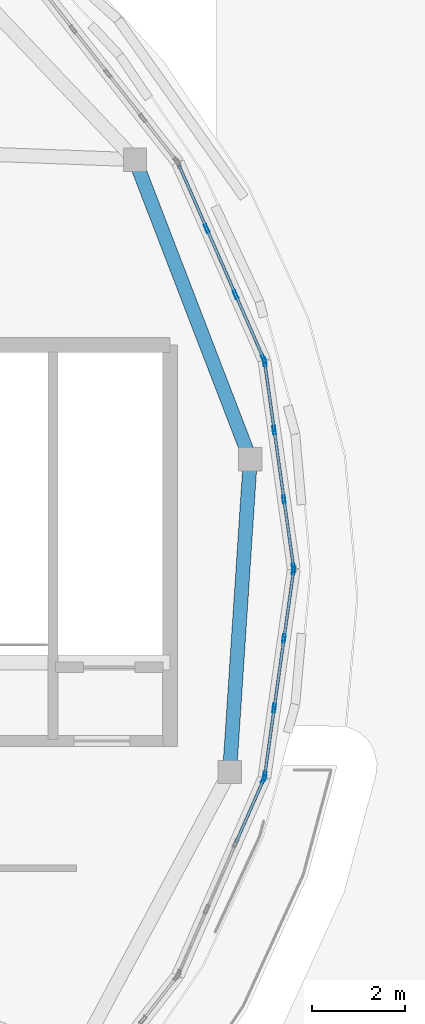
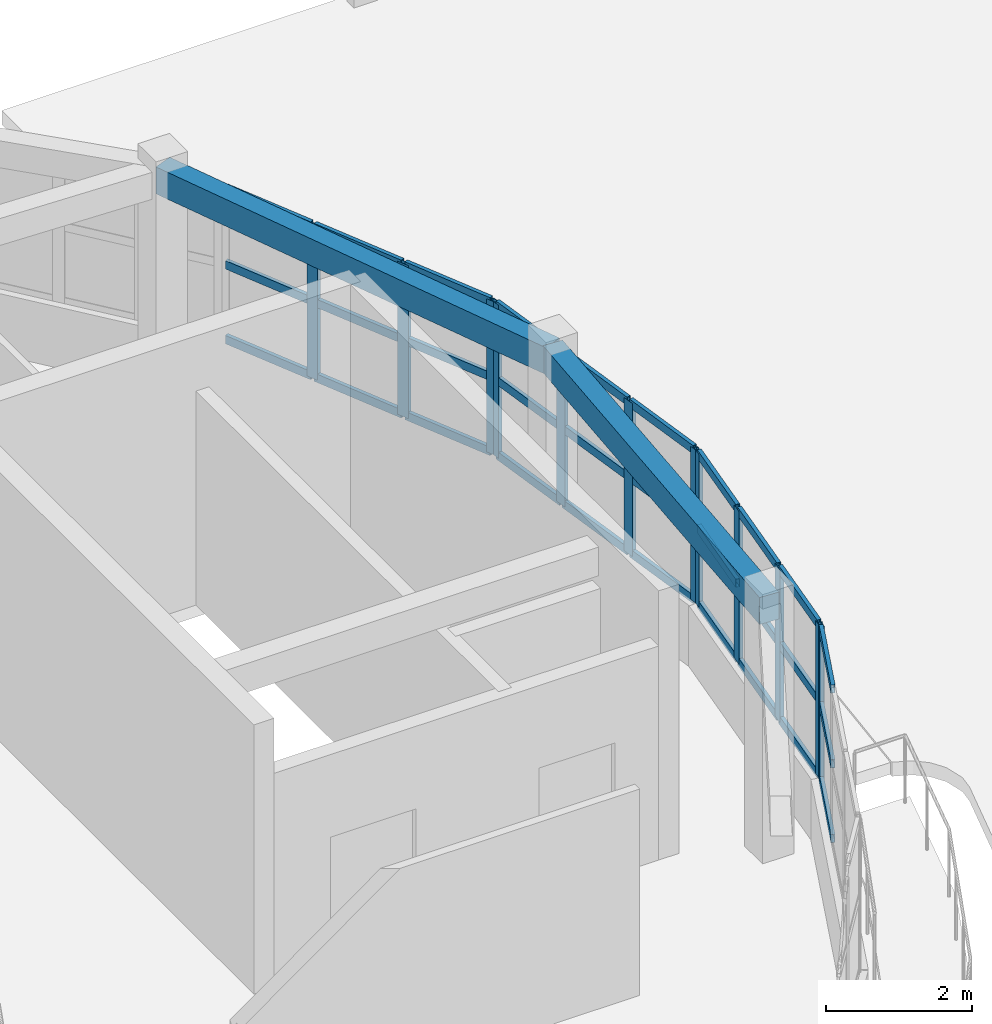
# One storey, part 20 of 38: 42 members, 2 beams, 4 elements without a shape of their own.
"""IFC4 building model written with IfcOpenShell, lengths in metres."""

from ifc_helpers import new_model, si_unit, direction, frame, origin, origin_2d, place, context, subcontext, project, spatial, rectangle, hollow_rectangle, extrude, material, layer, layer_set, material_profile, profile_set, type_object, element, aggregate, save


model = new_model("IFC4")

# Units and contexts
model_context = context("Model", 3, precision=1e-05, world=origin(), true_north=direction((0.0, 1.0)))
body_context = subcontext(model_context, "Body", "Model", "MODEL_VIEW")
ifc_project = project(units=[si_unit("LENGTHUNIT", "METRE"), si_unit("AREAUNIT", "SQUARE_METRE"), si_unit("VOLUMEUNIT", "CUBIC_METRE"), si_unit("PLANEANGLEUNIT", "RADIAN"), si_unit("MASSUNIT", "GRAM", prefix="KILO")], contexts=[model_context])

# Site, building, storey
site_placement = place(None, origin())
site = spatial("IfcSite", under=ifc_project, at=site_placement, CompositionType="ELEMENT")
building_placement = place(site_placement, origin())
building = spatial("IfcBuilding", under=site, at=building_placement, Name="Pelvatis Terrace Science Centre", CompositionType="ELEMENT")
storey_placement = place(building_placement, frame((0.0, 0.0, 24.300048828125)))
storey = spatial("IfcBuildingStorey", under=building, at=storey_placement, Name="L05", CompositionType="ELEMENT", Elevation=24.300048828125)

# Beams
ifc_material_1 = material(Name="Concrete C35/45", Category="concrete")
ifc_material_profile_1 = material_profile(ifc_material_1, rectangle(XDim=0.300048828125, YDim=0.449951171875, at=origin_2d()), Name="RC-BM 300x450")
ifc_profile_set_1 = profile_set([ifc_material_profile_1], Name="Concrete C35/45")
beam_type = type_object("IfcBeamType", Name="BM-RC-300x450", PredefinedType="BEAM", material=ifc_profile_set_1)
beam_1_placement = place(storey_placement, frame((133.31884765625, 87.552001953125, 4.034912109375), z_axis=(-0.359224405227, 0.933251213066, 0.0), x_axis=(-0.933251213066, -0.359224405227, 0.0)))
element("IfcBeam", 1, at=beam_1_placement, inside=storey, type_object=beam_type, Name="Beam BM-L05-3116", PredefinedType="BEAM", context=body_context, shape_type="SweptSolid", body=[
    extrude(rectangle(XDim=0.300048828125, YDim=0.449951171875, at=origin_2d()), origin(), (0.0, 0.0, 1.0), 6.868408203125),
])
beam_2_placement = place(storey_placement, frame((133.31884765625, 87.552001953125, 4.034912109375), z_axis=(-0.065837804337, -0.997830338044, 0.0), x_axis=(0.997830338044, -0.065837804337, 0.0)))
element("IfcBeam", 2, at=beam_2_placement, inside=storey, type_object=beam_type, Name="Beam BM-L05-3117", PredefinedType="BEAM", context=body_context, shape_type="SweptSolid", body=[
    extrude(rectangle(XDim=0.300048828125, YDim=0.449951171875, at=origin_2d()), origin(), (0.0, 0.0, 1.0), 6.708251953125),
])

# Curtain wall, members
ifc_material_2 = material(Name="Bronze-anodised aluminium and laminated glass", Category="aluminium")
ifc_layer = layer(ifc_material_2, 0.179931640625)
ifc_layer_set = layer_set([ifc_layer], Name="Bronze-anodised aluminium and laminated glass")
curtain_wall_type = type_object("IfcCurtainWallType", Name="CW-RIBBON-A", PredefinedType="NOTDEFINED", material=ifc_layer_set)
curtain_wall_1_placement = place(storey_placement, origin())
curtain_wall_1 = element("IfcCurtainWall", 3, at=curtain_wall_1_placement, inside=storey, type_object=curtain_wall_type, Name="Ribbon curtain wall CW-237 (L05)", PredefinedType="NOTDEFINED")
ifc_material_3 = material(Name="Bronze-anodised aluminium 6063-T6", Category="aluminium")
ifc_material_profile_2 = material_profile(ifc_material_3, hollow_rectangle(XDim=0.06005859375, YDim=0.179931640625, WallThickness=0.00390625, at=origin_2d()), Name="ALU-MUL 60x180")
ifc_profile_set_2 = profile_set([ifc_material_profile_2], Name="Bronze-anodised aluminium 6063-T6")
member_type_1 = type_object("IfcMemberType", Name="CWM-60x180", PredefinedType="MULLION", material=ifc_profile_set_2)
member_1_placement = place(storey_placement, frame((134.245849609375, 85.229736328125, 1.02001953125), z_axis=(0.0, 0.0, 1.0), x_axis=(-0.990235094606, -0.139407522788, 0.0)))
member_1 = element("IfcMember", 4, at=member_1_placement, type_object=member_type_1, Name="CW-237 mullion 1", PredefinedType="MULLION", context=body_context, shape_type="SweptSolid", body=[
    extrude(hollow_rectangle(XDim=0.06005859375, YDim=0.179931640625, WallThickness=0.00390625, at=origin_2d()), origin(), (0.0, 0.0, 1.0), 2.559814453125),
])
member_2_placement = place(storey_placement, frame((134.04052734375, 86.687255859375, 1.02001953125), z_axis=(0.0, 0.0, 1.0), x_axis=(-0.990235094606, -0.139407522788, 0.0)))
member_2 = element("IfcMember", 5, at=member_2_placement, type_object=member_type_1, Name="CW-237 mullion 2", PredefinedType="MULLION", context=body_context, shape_type="SweptSolid", body=[
    extrude(hollow_rectangle(XDim=0.06005859375, YDim=0.179931640625, WallThickness=0.00390625, at=origin_2d()), origin(), (0.0, 0.0, 1.0), 2.559814453125),
])
member_3_placement = place(storey_placement, frame((133.831298828125, 88.17431640625, 1.02001953125), z_axis=(0.0, 0.0, 1.0), x_axis=(-0.990235094606, -0.139407522788, 0.0)))
member_3 = element("IfcMember", 6, at=member_3_placement, type_object=member_type_1, Name="CW-237 mullion 3", PredefinedType="MULLION", context=body_context, shape_type="SweptSolid", body=[
    extrude(hollow_rectangle(XDim=0.06005859375, YDim=0.179931640625, WallThickness=0.00390625, at=origin_2d()), origin(), (0.0, 0.0, 1.0), 2.559814453125),
])
member_4_placement = place(storey_placement, frame((133.6259765625, 89.6318359375, 1.02001953125), z_axis=(0.0, 0.0, 1.0), x_axis=(-0.990235094606, -0.139407522788, 0.0)))
member_4 = element("IfcMember", 7, at=member_4_placement, type_object=member_type_1, Name="CW-237 mullion 4", PredefinedType="MULLION", context=body_context, shape_type="SweptSolid", body=[
    extrude(hollow_rectangle(XDim=0.06005859375, YDim=0.179931640625, WallThickness=0.00390625, at=origin_2d()), origin(), (0.0, 0.0, 1.0), 2.559814453125),
])

curtain_wall_2_placement = place(storey_placement, origin())
curtain_wall_2 = element("IfcCurtainWall", 8, at=curtain_wall_2_placement, inside=storey, type_object=curtain_wall_type, Name="Ribbon curtain wall CW-238 (L05)", PredefinedType="NOTDEFINED")
member_5_placement = place(storey_placement, frame((133.60986328125, 89.68896484375, 1.02001953125), z_axis=(0.0, 0.0, 1.0), x_axis=(-0.916274899341, -0.400550007911, 0.0)))
member_5 = element("IfcMember", 9, at=member_5_placement, type_object=member_type_1, Name="CW-238 mullion 1", PredefinedType="MULLION", context=body_context, shape_type="SweptSolid", body=[
    extrude(hollow_rectangle(XDim=0.06005859375, YDim=0.179931640625, WallThickness=0.00390625, at=origin_2d()), origin(), (0.0, 0.0, 1.0), 2.559814453125),
])
member_6_placement = place(storey_placement, frame((133.00439453125, 91.07421875, 1.02001953125), z_axis=(0.0, 0.0, 1.0), x_axis=(-0.916274899341, -0.400550007911, 0.0)))
member_6 = element("IfcMember", 10, at=member_6_placement, type_object=member_type_1, Name="CW-238 mullion 2", PredefinedType="MULLION", context=body_context, shape_type="SweptSolid", body=[
    extrude(hollow_rectangle(XDim=0.06005859375, YDim=0.179931640625, WallThickness=0.00390625, at=origin_2d()), origin(), (0.0, 0.0, 1.0), 2.559814453125),
])
member_7_placement = place(storey_placement, frame((132.38671875, 92.48681640625, 1.02001953125), z_axis=(0.0, 0.0, 1.0), x_axis=(-0.916274899341, -0.400550007911, 0.0)))
member_7 = element("IfcMember", 11, at=member_7_placement, type_object=member_type_1, Name="CW-238 mullion 3", PredefinedType="MULLION", context=body_context, shape_type="SweptSolid", body=[
    extrude(hollow_rectangle(XDim=0.06005859375, YDim=0.179931640625, WallThickness=0.00390625, at=origin_2d()), origin(), (0.0, 0.0, 1.0), 2.559814453125),
])

# Curtain wall, member
curtain_wall_3_placement = place(storey_placement, origin())
curtain_wall_3 = element("IfcCurtainWall", 12, at=curtain_wall_3_placement, inside=storey, type_object=curtain_wall_type, Name="Ribbon curtain wall CW-262 (L05)", PredefinedType="NOTDEFINED")
member_8_placement = place(storey_placement, frame((133.60986328125, 80.7109375, 1.02001953125), z_axis=(0.0, 0.0, 1.0), x_axis=(-0.916274899341, 0.400550007911, 0.0)))
member_8 = element("IfcMember", 13, at=member_8_placement, type_object=member_type_1, Name="CW-262 mullion 4", PredefinedType="MULLION", context=body_context, shape_type="SweptSolid", body=[
    extrude(hollow_rectangle(XDim=0.06005859375, YDim=0.179931640625, WallThickness=0.00390625, at=origin_2d()), origin(), (0.0, 0.0, 1.0), 2.559814453125),
])

# Curtain wall, members
curtain_wall_4_placement = place(storey_placement, origin())
curtain_wall_4 = element("IfcCurtainWall", 14, at=curtain_wall_4_placement, inside=storey, type_object=curtain_wall_type, Name="Ribbon curtain wall CW-263 (L05)", PredefinedType="NOTDEFINED")
member_9_placement = place(storey_placement, frame((133.6259765625, 80.768310546875, 1.02001953125), z_axis=(0.0, 0.0, 1.0), x_axis=(-0.990235094606, 0.139407522788, 0.0)))
member_9 = element("IfcMember", 15, at=member_9_placement, type_object=member_type_1, Name="CW-263 mullion 1", PredefinedType="MULLION", context=body_context, shape_type="SweptSolid", body=[
    extrude(hollow_rectangle(XDim=0.06005859375, YDim=0.179931640625, WallThickness=0.00390625, at=origin_2d()), origin(), (0.0, 0.0, 1.0), 2.559814453125),
])
member_10_placement = place(storey_placement, frame((133.831298828125, 82.2255859375, 1.02001953125), z_axis=(0.0, 0.0, 1.0), x_axis=(-0.990235094606, 0.139407522788, 0.0)))
member_10 = element("IfcMember", 16, at=member_10_placement, type_object=member_type_1, Name="CW-263 mullion 2", PredefinedType="MULLION", context=body_context, shape_type="SweptSolid", body=[
    extrude(hollow_rectangle(XDim=0.06005859375, YDim=0.179931640625, WallThickness=0.00390625, at=origin_2d()), origin(), (0.0, 0.0, 1.0), 2.559814453125),
])
member_11_placement = place(storey_placement, frame((134.04052734375, 83.712890625, 1.02001953125), z_axis=(0.0, 0.0, 1.0), x_axis=(-0.990235094606, 0.139407522788, 0.0)))
member_11 = element("IfcMember", 17, at=member_11_placement, type_object=member_type_1, Name="CW-263 mullion 3", PredefinedType="MULLION", context=body_context, shape_type="SweptSolid", body=[
    extrude(hollow_rectangle(XDim=0.06005859375, YDim=0.179931640625, WallThickness=0.00390625, at=origin_2d()), origin(), (0.0, 0.0, 1.0), 2.559814453125),
])
member_12_placement = place(storey_placement, frame((134.245849609375, 85.17041015625, 1.02001953125), z_axis=(0.0, 0.0, 1.0), x_axis=(-0.990235094606, 0.139407522788, 0.0)))
member_12 = element("IfcMember", 18, at=member_12_placement, type_object=member_type_1, Name="CW-263 mullion 4", PredefinedType="MULLION", context=body_context, shape_type="SweptSolid", body=[
    extrude(hollow_rectangle(XDim=0.06005859375, YDim=0.179931640625, WallThickness=0.00390625, at=origin_2d()), origin(), (0.0, 0.0, 1.0), 2.559814453125),
])

# Member
ifc_material_4 = material(Name="Bronze-anodised aluminium 6063-T6", Category="aluminium")
ifc_material_profile_3 = material_profile(ifc_material_4, hollow_rectangle(XDim=0.06005859375, YDim=0.139892578125, WallThickness=0.00390625, at=origin_2d()), Name="ALU-TRN 60x140")
ifc_profile_set_3 = profile_set([ifc_material_profile_3], Name="Bronze-anodised aluminium 6063-T6")
member_type_2 = type_object("IfcMemberType", Name="CWT-60x140", PredefinedType="USERDEFINED", material=ifc_profile_set_3)
member_13_placement = place(storey_placement, frame((134.24169921875, 85.259521484375, 1.050048828125), z_axis=(-0.139387317291, 0.990237938971, 0.0), x_axis=(-0.990237938971, -0.139387317291, 0.0)))
member_13 = element("IfcMember", 19, at=member_13_placement, type_object=member_type_2, Name="CW-237 transom 1.1", ObjectType="TRANSOM", PredefinedType="USERDEFINED", context=body_context, shape_type="SweptSolid", body=[
    extrude(hollow_rectangle(XDim=0.06005859375, YDim=0.139892578125, WallThickness=0.00390625, at=origin_2d()), origin(), (0.0, 0.0, 1.0), 1.41162109375),
])

member_14_placement = place(storey_placement, frame((134.24169921875, 85.259521484375, 2.300048828125), z_axis=(-0.139387317291, 0.990237938971, 0.0), x_axis=(-0.990237938971, -0.139387317291, 0.0)))
member_14 = element("IfcMember", 20, at=member_14_placement, type_object=member_type_2, Name="CW-237 transom 1.2", ObjectType="TRANSOM", PredefinedType="USERDEFINED", context=body_context, shape_type="SweptSolid", body=[
    extrude(hollow_rectangle(XDim=0.06005859375, YDim=0.139892578125, WallThickness=0.00390625, at=origin_2d()), origin(), (0.0, 0.0, 1.0), 1.41162109375),
])

member_15_placement = place(storey_placement, frame((134.24169921875, 85.259521484375, 3.550048828125), z_axis=(-0.139387317291, 0.990237938971, 0.0), x_axis=(-0.990237938971, -0.139387317291, 0.0)))
member_15 = element("IfcMember", 21, at=member_15_placement, type_object=member_type_2, Name="CW-237 transom 1.3", ObjectType="TRANSOM", PredefinedType="USERDEFINED", context=body_context, shape_type="SweptSolid", body=[
    extrude(hollow_rectangle(XDim=0.06005859375, YDim=0.139892578125, WallThickness=0.00390625, at=origin_2d()), origin(), (0.0, 0.0, 1.0), 1.41162109375),
])

member_16_placement = place(storey_placement, frame((134.036376953125, 86.716796875, 1.050048828125), z_axis=(-0.139358609629, 0.990241979479, 0.0), x_axis=(-0.990241979479, -0.139358609629, 0.0)))
member_16 = element("IfcMember", 22, at=member_16_placement, type_object=member_type_2, Name="CW-237 transom 2.1", ObjectType="TRANSOM", PredefinedType="USERDEFINED", context=body_context, shape_type="SweptSolid", body=[
    extrude(hollow_rectangle(XDim=0.06005859375, YDim=0.139892578125, WallThickness=0.00390625, at=origin_2d()), origin(), (0.0, 0.0, 1.0), 1.44189453125),
])

member_17_placement = place(storey_placement, frame((134.036376953125, 86.716796875, 2.300048828125), z_axis=(-0.139358609629, 0.990241979479, 0.0), x_axis=(-0.990241979479, -0.139358609629, 0.0)))
member_17 = element("IfcMember", 23, at=member_17_placement, type_object=member_type_2, Name="CW-237 transom 2.2", ObjectType="TRANSOM", PredefinedType="USERDEFINED", context=body_context, shape_type="SweptSolid", body=[
    extrude(hollow_rectangle(XDim=0.06005859375, YDim=0.139892578125, WallThickness=0.00390625, at=origin_2d()), origin(), (0.0, 0.0, 1.0), 1.44189453125),
])

member_18_placement = place(storey_placement, frame((134.036376953125, 86.716796875, 3.550048828125), z_axis=(-0.139358609629, 0.990241979479, 0.0), x_axis=(-0.990241979479, -0.139358609629, 0.0)))
member_18 = element("IfcMember", 24, at=member_18_placement, type_object=member_type_2, Name="CW-237 transom 2.3", ObjectType="TRANSOM", PredefinedType="USERDEFINED", context=body_context, shape_type="SweptSolid", body=[
    extrude(hollow_rectangle(XDim=0.06005859375, YDim=0.139892578125, WallThickness=0.00390625, at=origin_2d()), origin(), (0.0, 0.0, 1.0), 1.44189453125),
])

member_19_placement = place(storey_placement, frame((133.8271484375, 88.2041015625, 1.050048828125), z_axis=(-0.139387317291, 0.990237938971, 0.0), x_axis=(-0.990237938971, -0.139387317291, 0.0)))
member_19 = element("IfcMember", 25, at=member_19_placement, type_object=member_type_2, Name="CW-237 transom 3.1", ObjectType="TRANSOM", PredefinedType="USERDEFINED", context=body_context, shape_type="SweptSolid", body=[
    extrude(hollow_rectangle(XDim=0.06005859375, YDim=0.139892578125, WallThickness=0.00390625, at=origin_2d()), origin(), (0.0, 0.0, 1.0), 1.41162109375),
])

member_20_placement = place(storey_placement, frame((133.8271484375, 88.2041015625, 2.300048828125), z_axis=(-0.139387317291, 0.990237938971, 0.0), x_axis=(-0.990237938971, -0.139387317291, 0.0)))
member_20 = element("IfcMember", 26, at=member_20_placement, type_object=member_type_2, Name="CW-237 transom 3.2", ObjectType="TRANSOM", PredefinedType="USERDEFINED", context=body_context, shape_type="SweptSolid", body=[
    extrude(hollow_rectangle(XDim=0.06005859375, YDim=0.139892578125, WallThickness=0.00390625, at=origin_2d()), origin(), (0.0, 0.0, 1.0), 1.41162109375),
])

member_21_placement = place(storey_placement, frame((133.8271484375, 88.2041015625, 3.550048828125), z_axis=(-0.139387317291, 0.990237938971, 0.0), x_axis=(-0.990237938971, -0.139387317291, 0.0)))
member_21 = element("IfcMember", 27, at=member_21_placement, type_object=member_type_2, Name="CW-237 transom 3.3", ObjectType="TRANSOM", PredefinedType="USERDEFINED", context=body_context, shape_type="SweptSolid", body=[
    extrude(hollow_rectangle(XDim=0.06005859375, YDim=0.139892578125, WallThickness=0.00390625, at=origin_2d()), origin(), (0.0, 0.0, 1.0), 1.41162109375),
])

aggregate(curtain_wall_1, [member_1, member_2, member_3, member_4, member_13, member_14, member_15, member_16, member_17, member_18, member_19, member_20, member_21])

member_22_placement = place(storey_placement, frame((133.597900390625, 89.716552734375, 1.050048828125), z_axis=(-0.400607080711, 0.916249947822, 0.0), x_axis=(-0.916249947822, -0.400607080711, 0.0)))
member_22 = element("IfcMember", 28, at=member_22_placement, type_object=member_type_2, Name="CW-238 transom 1.1", ObjectType="TRANSOM", PredefinedType="USERDEFINED", context=body_context, shape_type="SweptSolid", body=[
    extrude(hollow_rectangle(XDim=0.06005859375, YDim=0.139892578125, WallThickness=0.00390625, at=origin_2d()), origin(), (0.0, 0.0, 1.0), 1.45166015625),
])

member_23_placement = place(storey_placement, frame((133.597900390625, 89.716552734375, 2.300048828125), z_axis=(-0.400607080711, 0.916249947822, 0.0), x_axis=(-0.916249947822, -0.400607080711, 0.0)))
member_23 = element("IfcMember", 29, at=member_23_placement, type_object=member_type_2, Name="CW-238 transom 1.2", ObjectType="TRANSOM", PredefinedType="USERDEFINED", context=body_context, shape_type="SweptSolid", body=[
    extrude(hollow_rectangle(XDim=0.06005859375, YDim=0.139892578125, WallThickness=0.00390625, at=origin_2d()), origin(), (0.0, 0.0, 1.0), 1.45166015625),
])

member_24_placement = place(storey_placement, frame((133.597900390625, 89.716552734375, 3.550048828125), z_axis=(-0.400607080711, 0.916249947822, 0.0), x_axis=(-0.916249947822, -0.400607080711, 0.0)))
member_24 = element("IfcMember", 30, at=member_24_placement, type_object=member_type_2, Name="CW-238 transom 1.3", ObjectType="TRANSOM", PredefinedType="USERDEFINED", context=body_context, shape_type="SweptSolid", body=[
    extrude(hollow_rectangle(XDim=0.06005859375, YDim=0.139892578125, WallThickness=0.00390625, at=origin_2d()), origin(), (0.0, 0.0, 1.0), 1.45166015625),
])

member_25_placement = place(storey_placement, frame((132.992431640625, 91.1015625, 1.050048828125), z_axis=(-0.400550866388, 0.916274524057, 0.0), x_axis=(-0.916274524057, -0.400550866388, 0.0)))
member_25 = element("IfcMember", 31, at=member_25_placement, type_object=member_type_2, Name="CW-238 transom 2.1", ObjectType="TRANSOM", PredefinedType="USERDEFINED", context=body_context, shape_type="SweptSolid", body=[
    extrude(hollow_rectangle(XDim=0.06005859375, YDim=0.139892578125, WallThickness=0.00390625, at=origin_2d()), origin(), (0.0, 0.0, 1.0), 1.481689453125),
])

member_26_placement = place(storey_placement, frame((132.992431640625, 91.1015625, 2.300048828125), z_axis=(-0.400550866388, 0.916274524057, 0.0), x_axis=(-0.916274524057, -0.400550866388, 0.0)))
member_26 = element("IfcMember", 32, at=member_26_placement, type_object=member_type_2, Name="CW-238 transom 2.2", ObjectType="TRANSOM", PredefinedType="USERDEFINED", context=body_context, shape_type="SweptSolid", body=[
    extrude(hollow_rectangle(XDim=0.06005859375, YDim=0.139892578125, WallThickness=0.00390625, at=origin_2d()), origin(), (0.0, 0.0, 1.0), 1.481689453125),
])

member_27_placement = place(storey_placement, frame((132.992431640625, 91.1015625, 3.550048828125), z_axis=(-0.400550866388, 0.916274524057, 0.0), x_axis=(-0.916274524057, -0.400550866388, 0.0)))
member_27 = element("IfcMember", 33, at=member_27_placement, type_object=member_type_2, Name="CW-238 transom 2.3", ObjectType="TRANSOM", PredefinedType="USERDEFINED", context=body_context, shape_type="SweptSolid", body=[
    extrude(hollow_rectangle(XDim=0.06005859375, YDim=0.139892578125, WallThickness=0.00390625, at=origin_2d()), origin(), (0.0, 0.0, 1.0), 1.481689453125),
])

member_28_placement = place(storey_placement, frame((132.374755859375, 92.51416015625, 1.050048828125), z_axis=(-0.400545357441, 0.916276932282, 0.0), x_axis=(-0.916276932282, -0.400545357441, 0.0)))
member_28 = element("IfcMember", 34, at=member_28_placement, type_object=member_type_2, Name="CW-238 transom 3.1", ObjectType="TRANSOM", PredefinedType="USERDEFINED", context=body_context, shape_type="SweptSolid", body=[
    extrude(hollow_rectangle(XDim=0.06005859375, YDim=0.139892578125, WallThickness=0.00390625, at=origin_2d()), origin(), (0.0, 0.0, 1.0), 1.451904296875),
])

member_29_placement = place(storey_placement, frame((132.374755859375, 92.51416015625, 2.300048828125), z_axis=(-0.400545357441, 0.916276932282, 0.0), x_axis=(-0.916276932282, -0.400545357441, 0.0)))
member_29 = element("IfcMember", 35, at=member_29_placement, type_object=member_type_2, Name="CW-238 transom 3.2", ObjectType="TRANSOM", PredefinedType="USERDEFINED", context=body_context, shape_type="SweptSolid", body=[
    extrude(hollow_rectangle(XDim=0.06005859375, YDim=0.139892578125, WallThickness=0.00390625, at=origin_2d()), origin(), (0.0, 0.0, 1.0), 1.451904296875),
])

member_30_placement = place(storey_placement, frame((132.374755859375, 92.51416015625, 3.550048828125), z_axis=(-0.400545357441, 0.916276932282, 0.0), x_axis=(-0.916276932282, -0.400545357441, 0.0)))
member_30 = element("IfcMember", 36, at=member_30_placement, type_object=member_type_2, Name="CW-238 transom 3.3", ObjectType="TRANSOM", PredefinedType="USERDEFINED", context=body_context, shape_type="SweptSolid", body=[
    extrude(hollow_rectangle(XDim=0.06005859375, YDim=0.139892578125, WallThickness=0.00390625, at=origin_2d()), origin(), (0.0, 0.0, 1.0), 1.451904296875),
])

aggregate(curtain_wall_2, [member_5, member_6, member_7, member_22, member_23, member_24, member_25, member_26, member_27, member_28, member_29, member_30])

member_31_placement = place(storey_placement, frame((133.016357421875, 79.353271484375, 1.050048828125), z_axis=(0.400545357441, 0.916276932282, 0.0), x_axis=(-0.916276932282, 0.400545357441, 0.0)))
member_31 = element("IfcMember", 37, at=member_31_placement, type_object=member_type_2, Name="CW-262 transom 3.1", ObjectType="TRANSOM", PredefinedType="USERDEFINED", context=body_context, shape_type="SweptSolid", body=[
    extrude(hollow_rectangle(XDim=0.06005859375, YDim=0.139892578125, WallThickness=0.00390625, at=origin_2d()), origin(), (0.0, 0.0, 1.0), 1.451904296875),
])

member_32_placement = place(storey_placement, frame((133.016357421875, 79.353271484375, 2.300048828125), z_axis=(0.400545357441, 0.916276932282, 0.0), x_axis=(-0.916276932282, 0.400545357441, 0.0)))
member_32 = element("IfcMember", 38, at=member_32_placement, type_object=member_type_2, Name="CW-262 transom 3.2", ObjectType="TRANSOM", PredefinedType="USERDEFINED", context=body_context, shape_type="SweptSolid", body=[
    extrude(hollow_rectangle(XDim=0.06005859375, YDim=0.139892578125, WallThickness=0.00390625, at=origin_2d()), origin(), (0.0, 0.0, 1.0), 1.451904296875),
])

member_33_placement = place(storey_placement, frame((133.016357421875, 79.353271484375, 3.550048828125), z_axis=(0.400545357441, 0.916276932282, 0.0), x_axis=(-0.916276932282, 0.400545357441, 0.0)))
member_33 = element("IfcMember", 39, at=member_33_placement, type_object=member_type_2, Name="CW-262 transom 3.3", ObjectType="TRANSOM", PredefinedType="USERDEFINED", context=body_context, shape_type="SweptSolid", body=[
    extrude(hollow_rectangle(XDim=0.06005859375, YDim=0.139892578125, WallThickness=0.00390625, at=origin_2d()), origin(), (0.0, 0.0, 1.0), 1.451904296875),
])

aggregate(curtain_wall_3, [member_8, member_31, member_32, member_33])

member_34_placement = place(storey_placement, frame((133.63037109375, 80.7978515625, 1.050048828125), z_axis=(0.139363451414, 0.990241298073, 0.0), x_axis=(-0.990241298073, 0.139363451414, 0.0)))
member_34 = element("IfcMember", 40, at=member_34_placement, type_object=member_type_2, Name="CW-263 transom 1.1", ObjectType="TRANSOM", PredefinedType="USERDEFINED", context=body_context, shape_type="SweptSolid", body=[
    extrude(hollow_rectangle(XDim=0.06005859375, YDim=0.139892578125, WallThickness=0.00390625, at=origin_2d()), origin(), (0.0, 0.0, 1.0), 1.411865234375),
])

member_35_placement = place(storey_placement, frame((133.63037109375, 80.7978515625, 2.300048828125), z_axis=(0.139363451414, 0.990241298073, 0.0), x_axis=(-0.990241298073, 0.139363451414, 0.0)))
member_35 = element("IfcMember", 41, at=member_35_placement, type_object=member_type_2, Name="CW-263 transom 1.2", ObjectType="TRANSOM", PredefinedType="USERDEFINED", context=body_context, shape_type="SweptSolid", body=[
    extrude(hollow_rectangle(XDim=0.06005859375, YDim=0.139892578125, WallThickness=0.00390625, at=origin_2d()), origin(), (0.0, 0.0, 1.0), 1.411865234375),
])

member_36_placement = place(storey_placement, frame((133.63037109375, 80.7978515625, 3.550048828125), z_axis=(0.139363451414, 0.990241298073, 0.0), x_axis=(-0.990241298073, 0.139363451414, 0.0)))
member_36 = element("IfcMember", 42, at=member_36_placement, type_object=member_type_2, Name="CW-263 transom 1.3", ObjectType="TRANSOM", PredefinedType="USERDEFINED", context=body_context, shape_type="SweptSolid", body=[
    extrude(hollow_rectangle(XDim=0.06005859375, YDim=0.139892578125, WallThickness=0.00390625, at=origin_2d()), origin(), (0.0, 0.0, 1.0), 1.411865234375),
])

member_37_placement = place(storey_placement, frame((133.83544921875, 82.25537109375, 1.050048828125), z_axis=(0.139358609629, 0.990241979479, 0.0), x_axis=(-0.990241979479, 0.139358609629, 0.0)))
member_37 = element("IfcMember", 43, at=member_37_placement, type_object=member_type_2, Name="CW-263 transom 2.1", ObjectType="TRANSOM", PredefinedType="USERDEFINED", context=body_context, shape_type="SweptSolid", body=[
    extrude(hollow_rectangle(XDim=0.06005859375, YDim=0.139892578125, WallThickness=0.00390625, at=origin_2d()), origin(), (0.0, 0.0, 1.0), 1.44189453125),
])

member_38_placement = place(storey_placement, frame((133.83544921875, 82.25537109375, 2.300048828125), z_axis=(0.139358609629, 0.990241979479, 0.0), x_axis=(-0.990241979479, 0.139358609629, 0.0)))
member_38 = element("IfcMember", 44, at=member_38_placement, type_object=member_type_2, Name="CW-263 transom 2.2", ObjectType="TRANSOM", PredefinedType="USERDEFINED", context=body_context, shape_type="SweptSolid", body=[
    extrude(hollow_rectangle(XDim=0.06005859375, YDim=0.139892578125, WallThickness=0.00390625, at=origin_2d()), origin(), (0.0, 0.0, 1.0), 1.44189453125),
])

member_39_placement = place(storey_placement, frame((133.83544921875, 82.25537109375, 3.550048828125), z_axis=(0.139358609629, 0.990241979479, 0.0), x_axis=(-0.990241979479, 0.139358609629, 0.0)))
member_39 = element("IfcMember", 45, at=member_39_placement, type_object=member_type_2, Name="CW-263 transom 2.3", ObjectType="TRANSOM", PredefinedType="USERDEFINED", context=body_context, shape_type="SweptSolid", body=[
    extrude(hollow_rectangle(XDim=0.06005859375, YDim=0.139892578125, WallThickness=0.00390625, at=origin_2d()), origin(), (0.0, 0.0, 1.0), 1.44189453125),
])

member_40_placement = place(storey_placement, frame((134.044921875, 83.742431640625, 1.050048828125), z_axis=(0.139363451414, 0.990241298073, 0.0), x_axis=(-0.990241298073, 0.139363451414, 0.0)))
member_40 = element("IfcMember", 46, at=member_40_placement, type_object=member_type_2, Name="CW-263 transom 3.1", ObjectType="TRANSOM", PredefinedType="USERDEFINED", context=body_context, shape_type="SweptSolid", body=[
    extrude(hollow_rectangle(XDim=0.06005859375, YDim=0.139892578125, WallThickness=0.00390625, at=origin_2d()), origin(), (0.0, 0.0, 1.0), 1.411865234375),
])

member_41_placement = place(storey_placement, frame((134.044921875, 83.742431640625, 2.300048828125), z_axis=(0.139363451414, 0.990241298073, 0.0), x_axis=(-0.990241298073, 0.139363451414, 0.0)))
member_41 = element("IfcMember", 47, at=member_41_placement, type_object=member_type_2, Name="CW-263 transom 3.2", ObjectType="TRANSOM", PredefinedType="USERDEFINED", context=body_context, shape_type="SweptSolid", body=[
    extrude(hollow_rectangle(XDim=0.06005859375, YDim=0.139892578125, WallThickness=0.00390625, at=origin_2d()), origin(), (0.0, 0.0, 1.0), 1.411865234375),
])

member_42_placement = place(storey_placement, frame((134.044921875, 83.742431640625, 3.550048828125), z_axis=(0.139363451414, 0.990241298073, 0.0), x_axis=(-0.990241298073, 0.139363451414, 0.0)))
member_42 = element("IfcMember", 48, at=member_42_placement, type_object=member_type_2, Name="CW-263 transom 3.3", ObjectType="TRANSOM", PredefinedType="USERDEFINED", context=body_context, shape_type="SweptSolid", body=[
    extrude(hollow_rectangle(XDim=0.06005859375, YDim=0.139892578125, WallThickness=0.00390625, at=origin_2d()), origin(), (0.0, 0.0, 1.0), 1.411865234375),
])

aggregate(curtain_wall_4, [member_9, member_10, member_11, member_12, member_34, member_35, member_36, member_37, member_38, member_39, member_40, member_41, member_42])

save(model, "model.ifc")
